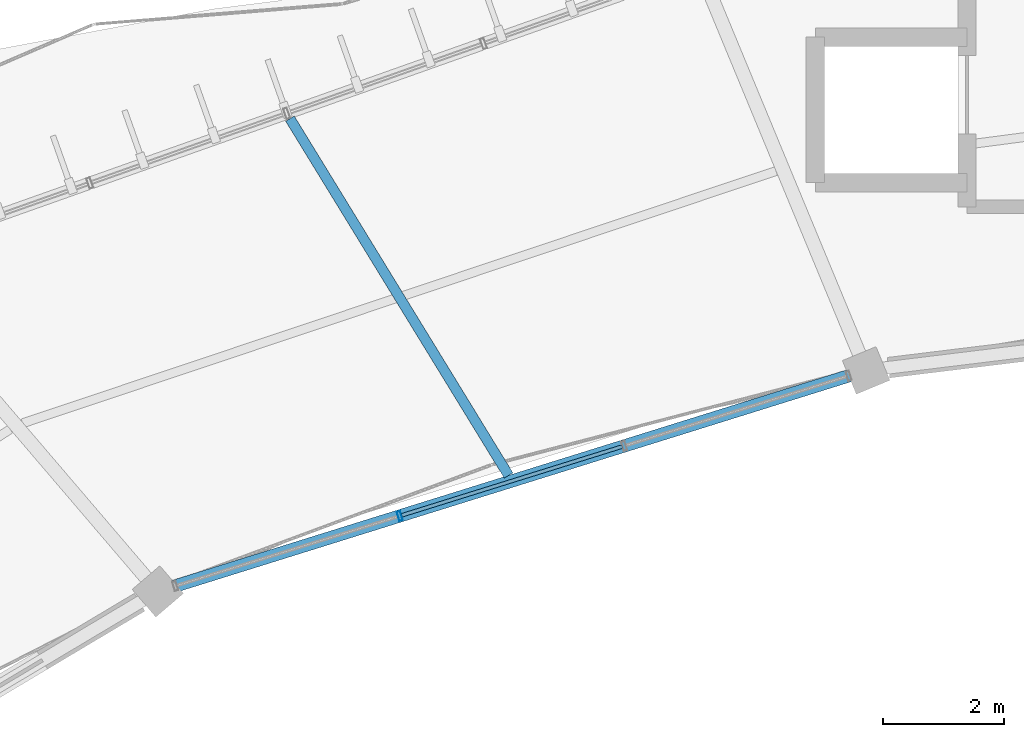
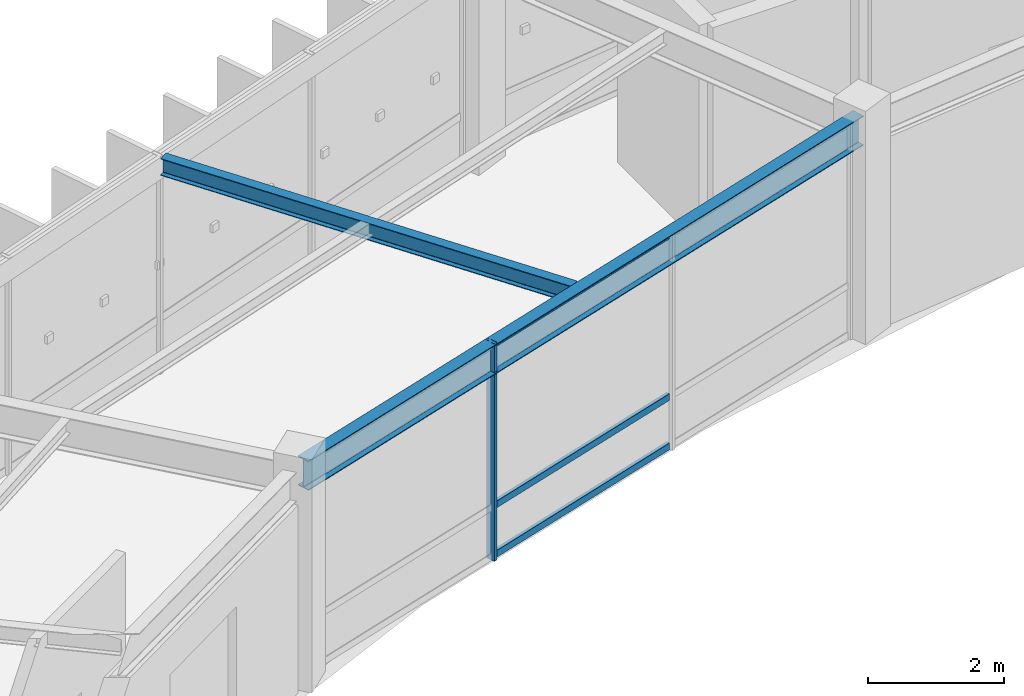
# One storey, part 56 of 114: 4 members, 2 beams, 1 element without a shape of its own.
"""IFC4 building model written with IfcOpenShell, lengths in metres."""

from ifc_helpers import new_model, si_unit, direction, frame, origin, origin_2d, place, context, subcontext, project, spatial, hollow_rectangle, i_section, extrude, material, material_profile, profile_set, type_object, element, aggregate, save


model = new_model("IFC4")

# Units and contexts
model_context = context("Model", 3, precision=1e-05, world=origin(), true_north=direction((0.0, 1.0)))
body_context = subcontext(model_context, "Body", "Model", "MODEL_VIEW")
ifc_project = project(units=[si_unit("LENGTHUNIT", "METRE"), si_unit("AREAUNIT", "SQUARE_METRE"), si_unit("VOLUMEUNIT", "CUBIC_METRE"), si_unit("PLANEANGLEUNIT", "RADIAN"), si_unit("MASSUNIT", "GRAM", prefix="KILO"), si_unit("THERMODYNAMICTEMPERATUREUNIT", "KELVIN"), si_unit("POWERUNIT", "WATT")], contexts=[model_context])

# Site, building, storey
site_placement = place(None, origin())
site = spatial("IfcSite", under=ifc_project, at=site_placement, CompositionType="ELEMENT")
building_placement = place(site_placement, origin())
building = spatial("IfcBuilding", under=site, at=building_placement, Name="Darbajah Civic Hall", CompositionType="ELEMENT")
storey_placement = place(building_placement, frame((0.0, 0.0, 13.800048828125)))
storey = spatial("IfcBuildingStorey", under=building, at=storey_placement, Name="L03", CompositionType="ELEMENT", Elevation=13.800048828125)

# Curtain wall, members
ifc_material_1 = material(Name="Anodised Bronze Aluminium and Low-E Glazing", Category="aluminium")
curtain_wall_type = type_object("IfcCurtainWallType", Name="Unitised Curtain Wall CW-43 11600x3900", PredefinedType="USERDEFINED", material=ifc_material_1)
curtain_wall_placement = place(storey_placement, origin())
curtain_wall = element("IfcCurtainWall", 1, at=curtain_wall_placement, inside=storey, type_object=curtain_wall_type, Name="L03 unitised curtain wall CW-V1I-L03-06", ObjectType="UNITISED CURTAIN WALL", PredefinedType="USERDEFINED")
ifc_material_2 = material(Name="Anodised Bronze Aluminium", Category="aluminium")
ifc_material_profile_1 = material_profile(ifc_material_2, hollow_rectangle(XDim=0.06005859375, YDim=0.159912109375, WallThickness=0.00341796875, at=origin_2d()), Name="ALU MULLION 60x160")
ifc_profile_set_1 = profile_set([ifc_material_profile_1], Name="Anodised Bronze Aluminium")
member_type_1 = type_object("IfcMemberType", Name="ALU MULLION 60x160", PredefinedType="MULLION", material=ifc_profile_set_1)
member_1_placement = place(storey_placement, frame((64.64501953125, 108.002197265625, 0.0), z_axis=(0.0, 0.0, 1.0), x_axis=(-0.954604963513, -0.297874744877, 0.0)))
member_1 = element("IfcMember", 2, at=member_1_placement, type_object=member_type_1, Name="CW-V1I-L03-06 mullion 3", PredefinedType="MULLION", context=body_context, shape_type="SweptSolid", body=[
    extrude(hollow_rectangle(XDim=0.06005859375, YDim=0.159912109375, WallThickness=0.00341796875, at=origin_2d()), origin(), (0.0, 0.0, 1.0), 3.919921875),
])
ifc_material_profile_2 = material_profile(ifc_material_2, hollow_rectangle(XDim=0.06005859375, YDim=0.1201171875, WallThickness=0.003173828125, at=origin_2d()), Name="ALU TRANSOM 60x120")
ifc_profile_set_2 = profile_set([ifc_material_profile_2], Name="Anodised Bronze Aluminium")
member_type_2 = type_object("IfcMemberType", Name="ALU TRANSOM 60x120", PredefinedType="USERDEFINED", material=ifc_profile_set_2)
member_2_placement = place(storey_placement, frame((68.314208984375, 109.14697265625, 0.06005859375), z_axis=(-0.954621307868, -0.297822360754, 0.0), x_axis=(0.297822360754, -0.954621307868, 0.0)))
member_2 = element("IfcMember", 3, at=member_2_placement, type_object=member_type_2, Name="CW-V1I-L03-06 transom 2.1", ObjectType="TRANSOM", PredefinedType="USERDEFINED", context=body_context, shape_type="SweptSolid", body=[
    extrude(hollow_rectangle(XDim=0.06005859375, YDim=0.1201171875, WallThickness=0.003173828125, at=origin_2d()), origin(), (0.0, 0.0, 1.0), 3.80859375),
])
member_3_placement = place(storey_placement, frame((68.314208984375, 109.14697265625, 0.949951171875), z_axis=(-0.954621307868, -0.297822360754, 0.0), x_axis=(0.297822360754, -0.954621307868, 0.0)))
member_3 = element("IfcMember", 4, at=member_3_placement, type_object=member_type_2, Name="CW-V1I-L03-06 transom 2.2", ObjectType="TRANSOM", PredefinedType="USERDEFINED", context=body_context, shape_type="SweptSolid", body=[
    extrude(hollow_rectangle(XDim=0.06005859375, YDim=0.1201171875, WallThickness=0.003173828125, at=origin_2d()), origin(), (0.0, 0.0, 1.0), 3.80859375),
])
member_4_placement = place(storey_placement, frame((68.314208984375, 109.14697265625, 3.85986328125), z_axis=(-0.954621307868, -0.297822360754, 0.0), x_axis=(0.297822360754, -0.954621307868, 0.0)))
member_4 = element("IfcMember", 5, at=member_4_placement, type_object=member_type_2, Name="CW-V1I-L03-06 transom 2.3", ObjectType="TRANSOM", PredefinedType="USERDEFINED", context=body_context, shape_type="SweptSolid", body=[
    extrude(hollow_rectangle(XDim=0.06005859375, YDim=0.1201171875, WallThickness=0.003173828125, at=origin_2d()), origin(), (0.0, 0.0, 1.0), 3.80859375),
])
aggregate(curtain_wall, [member_1, member_2, member_3, member_4])

# Beams
ifc_material_3 = material(Name="Steel S355JR", Category="steel")
ifc_material_profile_3 = material_profile(ifc_material_3, i_section(OverallWidth=0.165771484375, OverallDepth=0.306640625, WebThickness=0.006591796875, FlangeThickness=0.01171875, FilletRadius=0.0087890625, at=origin_2d()), Name="UB 305x165x46")
ifc_profile_set_3 = profile_set([ifc_material_profile_3], Name="Steel S355JR")
beam_type_1 = type_object("IfcBeamType", Name="UB 305x165x46", PredefinedType="JOIST", material=ifc_profile_set_3)
beam_1_placement = place(storey_placement, frame((66.44091796875, 108.670166015625, 3.7666015625), z_axis=(-0.522498199588, 0.852640388105, 0.0), x_axis=(-0.852640388105, -0.522498199588, 0.0)))
element("IfcBeam", 6, at=beam_1_placement, inside=storey, type_object=beam_type_1, Name="L03 beam SJ-305", PredefinedType="JOIST", context=body_context, shape_type="SweptSolid", body=[
    extrude(i_section(OverallWidth=0.165771484375, OverallDepth=0.306640625, WebThickness=0.006591796875, FlangeThickness=0.01171875, FilletRadius=0.0087890625, at=origin_2d()), origin(), (0.0, 0.0, 1.0), 6.9033203125),
])
ifc_material_profile_4 = material_profile(ifc_material_3, i_section(OverallWidth=0.209228515625, OverallDepth=0.533203125, WebThickness=0.010009765625, FlangeThickness=0.015625, FilletRadius=0.0126953125, at=origin_2d()), Name="UB 533x210x92")
ifc_profile_set_4 = profile_set([ifc_material_profile_4], Name="Steel S355JR")
beam_type_2 = type_object("IfcBeamType", Name="UB 533x210x92", PredefinedType="BEAM", material=ifc_profile_set_4)
beam_2_placement = place(storey_placement, frame((72.26220703125, 110.378662109375, 3.653564453125), z_axis=(-0.954619766764, -0.297827300468, 0.0), x_axis=(0.297827300468, -0.954619766764, 0.0)))
element("IfcBeam", 7, at=beam_2_placement, inside=storey, type_object=beam_type_2, Name="L03 beam SB-533", PredefinedType="BEAM", context=body_context, shape_type="SweptSolid", body=[
    extrude(i_section(OverallWidth=0.209228515625, OverallDepth=0.533203125, WebThickness=0.010009765625, FlangeThickness=0.015625, FilletRadius=0.0126953125, at=origin_2d()), origin(), (0.0, 0.0, 1.0), 12.07958984375),
])

save(model, "model.ifc")
